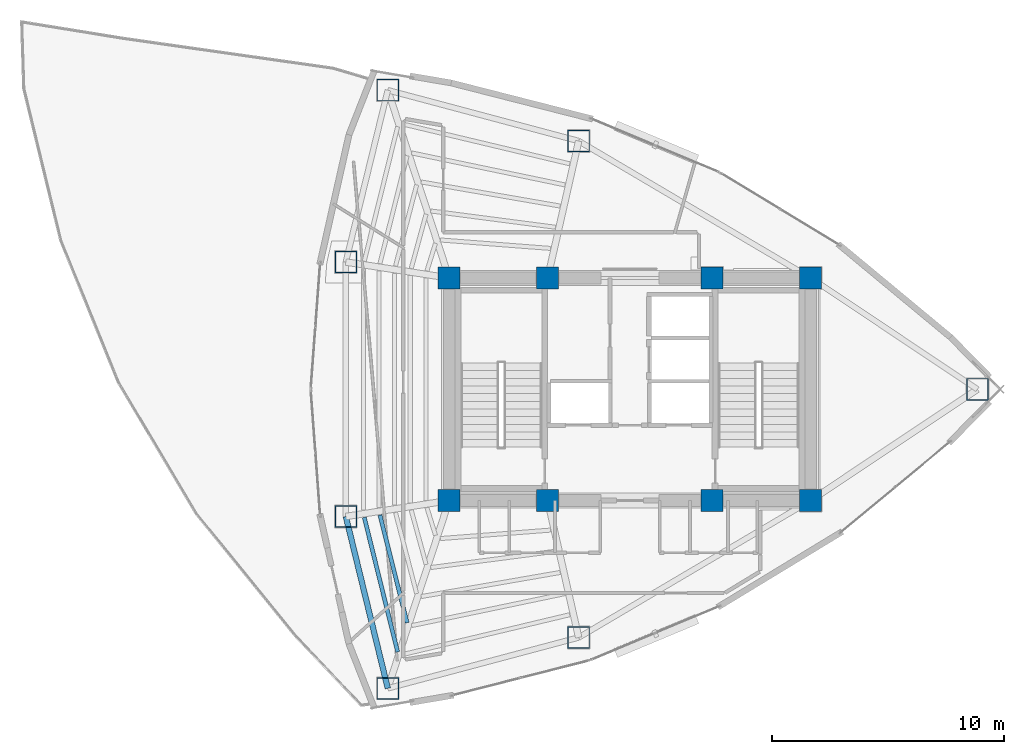
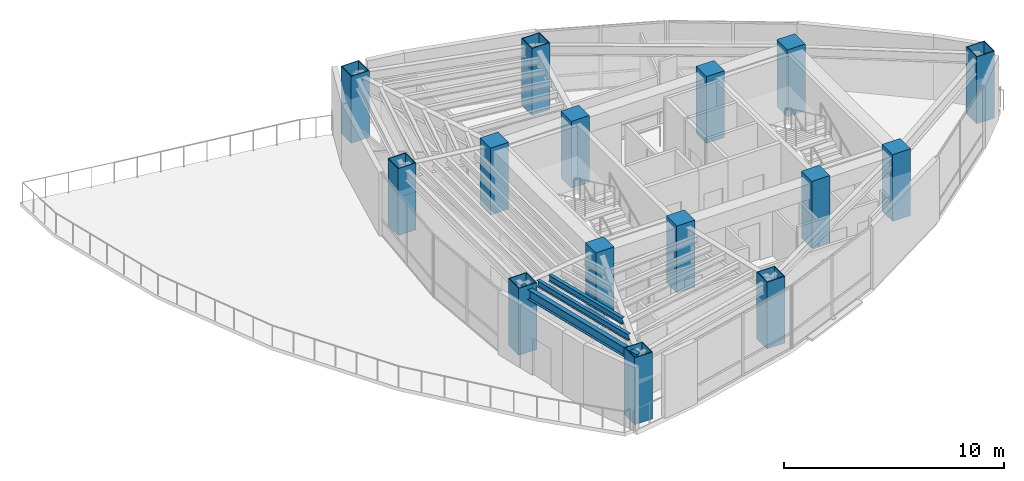
# One storey, part 1 of 17: 15 columns, 3 beams.
"""IFC4 building model written with IfcOpenShell, lengths in metres."""

import ifcopenshell
import ifcopenshell.guid

model = None  # the IFC model being written
_history = None  # IfcOwnerHistory: only IFC2X3 demands one
_inside = {}  # id of a spatial element -> (the spatial element, [elements in it])
_under = {}  # id of a project, library or spatial element -> (it, [spatial elements below it])
_declared = {}  # id of a project -> (the project, [libraries it declares])
_typed = {}  # id of a type object -> (the type object, [elements of that type])
_made_of = {}  # id of a material, layer set ... -> (it, [elements and type objects made of it])


def new_model(schema):
    """Start an empty IFC model of exactly this schema.

    Asked for "IFC4X3", IfcOpenShell would pick the latest addendum, in which some entities
    have other attributes; the version numbers below select the first issue.
    IFC2X3 requires an IfcOwnerHistory on every rooted entity: one is made here for all.
    """
    global model, _history
    if schema == "IFC4X3":
        model = ifcopenshell.file(schema_version=(4, 3, 0, 0))
    else:
        model = ifcopenshell.file(schema=schema)
    _inside.clear()
    _under.clear()
    _declared.clear()
    _typed.clear()
    _made_of.clear()
    _history = None
    if model.schema == "IFC2X3":
        org = make("IfcOrganization", Name="unknown")
        user = make(
            "IfcPersonAndOrganization",
            ThePerson=make("IfcPerson", FamilyName="unknown"),
            TheOrganization=org,
        )
        app = make(
            "IfcApplication",
            ApplicationDeveloper=org,
            Version="unknown",
            ApplicationFullName="unknown",
            ApplicationIdentifier="unknown",
        )
        _history = make(
            "IfcOwnerHistory",
            OwningUser=user,
            OwningApplication=app,
            ChangeAction="ADDED",
            CreationDate=0,
        )
    return model


def make(cls, **values):
    """One entity of the class cls with the attributes given. An attribute that is None is left unset."""
    return model.create_entity(
        cls, **{name: value for name, value in values.items() if value is not None}
    )


def rooted(cls, **values):
    """An entity with a GlobalId (a new one), such as an element, a storey or a relation."""
    return make(cls, GlobalId=ifcopenshell.guid.new(), OwnerHistory=_history, **values)


def si_unit(unit_type, name, prefix=None):
    """IfcSIUnit, for example si_unit("LENGTHUNIT", "METRE", prefix="MILLI")."""
    return make("IfcSIUnit", UnitType=unit_type, Prefix=prefix, Name=name)


def assignment(units):
    """IfcUnitAssignment: the units of a project."""
    return None if units is None else make("IfcUnitAssignment", Units=units)


def point(xyz):
    """IfcCartesianPoint."""
    return None if xyz is None else make("IfcCartesianPoint", Coordinates=xyz)


def direction(xyz):
    """IfcDirection."""
    return None if xyz is None else make("IfcDirection", DirectionRatios=xyz)


def frame(location, z_axis=None, x_axis=None):
    """IfcAxis2Placement3D, a coordinate frame: its origin and axes. An axis left out is left unset."""
    return make(
        "IfcAxis2Placement3D",
        Location=point(location),
        Axis=direction(z_axis),
        RefDirection=direction(x_axis),
    )


def frame_2d(location, x_axis=None):
    """IfcAxis2Placement2D, a coordinate frame in the plane: its origin and x axis."""
    return make(
        "IfcAxis2Placement2D", Location=point(location), RefDirection=direction(x_axis)
    )


def origin():
    """The frame at (0, 0, 0) with its axes left unset."""
    return frame((0.0, 0.0, 0.0))


def origin_2d():
    """The frame at (0, 0) in the plane with its x axis left unset."""
    return frame_2d((0.0, 0.0))


def place(relative_to, where):
    """IfcLocalPlacement: puts the frame where relative to a parent placement (None: the world)."""
    return make(
        "IfcLocalPlacement", PlacementRelTo=relative_to, RelativePlacement=where
    )


def context(
    kind, dimensions, precision=None, world=None, true_north=None, identifier=None
):
    """IfcGeometricRepresentationContext, for example the 3D "Model" context."""
    return make(
        "IfcGeometricRepresentationContext",
        ContextIdentifier=identifier,
        ContextType=kind,
        CoordinateSpaceDimension=dimensions,
        Precision=precision,
        WorldCoordinateSystem=world,
        TrueNorth=true_north,
    )


def subcontext(parent, identifier, kind, view, scale=None):
    """IfcGeometricRepresentationSubContext, for example "Body" below "Model"."""
    return make(
        "IfcGeometricRepresentationSubContext",
        ContextIdentifier=identifier,
        ContextType=kind,
        ParentContext=parent,
        TargetScale=scale,
        TargetView=view,
    )


def project(units=None, contexts=None):
    """IfcProject with its units and contexts."""
    return rooted(
        "IfcProject",
        Name="project",
        RepresentationContexts=contexts,
        UnitsInContext=assignment(units),
    )


def spatial(cls, under=None, at=None, **own):
    """A site, building, storey or space (cls), placed at a placement, below another one or the project."""
    s = rooted(cls, ObjectPlacement=at, **own)
    if under is not None:
        _under.setdefault(under.id(), (under, []))[1].append(s)
    return s


def profile(cls, at=None, kind="AREA", **sizes):
    """A parametric profile (cls). Its sizes go by their IFC names, for example OverallWidth=200.0."""
    return make(cls, ProfileType=kind, Position=at, **sizes)


def rectangle(**sizes):
    """IfcRectangleProfileDef."""
    return profile("IfcRectangleProfileDef", **sizes)


def hollow_rectangle(**sizes):
    """IfcRectangleHollowProfileDef."""
    return profile("IfcRectangleHollowProfileDef", **sizes)


def i_section(**sizes):
    """IfcIShapeProfileDef."""
    return profile("IfcIShapeProfileDef", **sizes)


def extrude(swept, where, along, depth):
    """IfcExtrudedAreaSolid: the profile swept, set in the frame where, extruded along a direction by depth."""
    return make(
        "IfcExtrudedAreaSolid",
        SweptArea=swept,
        Position=where,
        ExtrudedDirection=direction(along),
        Depth=depth,
    )


def shape(context_of_items, identifier, shape_type, items):
    """IfcShapeRepresentation: the items that make up one representation, for example the "Body"."""
    return make(
        "IfcShapeRepresentation",
        ContextOfItems=context_of_items,
        RepresentationIdentifier=identifier,
        RepresentationType=shape_type,
        Items=items,
    )


def material(Name=None, Category=None):
    """IfcMaterial."""
    return make("IfcMaterial", Name=Name, Category=Category)


def material_profile(
    of_material, cross_section, Name=None, Category=None, Priority=None
):
    """IfcMaterialProfile: a cross section and its material."""
    return make(
        "IfcMaterialProfile",
        Name=Name,
        Material=of_material,
        Profile=cross_section,
        Priority=Priority,
        Category=Category,
    )


def profile_set(profiles, Name=None, composite=None):
    """IfcMaterialProfileSet."""
    return make(
        "IfcMaterialProfileSet",
        Name=Name,
        MaterialProfiles=profiles,
        CompositeProfile=composite,
    )


def made_of(thing, what):
    """Note that an element or type object is made of a material, layer set ...; save() writes the relation."""
    if what is not None:
        _made_of.setdefault(what.id(), (what, []))[1].append(thing)
    return thing


def type_object(cls, material=None, **own):
    """A type object (cls), such as IfcWallType, which elements share."""
    return made_of(rooted(cls, **own), material)


def element(
    cls,
    number,
    at=None,
    inside=None,
    cuts=None,
    type_object=None,
    material=None,
    context=None,
    identifier="Body",
    shape_type=None,
    held_by="IfcProductDefinitionShape",
    body=None,
    shapes=None,
    **own,
):
    """One element of the class cls, such as IfcWall. Its Tag is "e" and its number.

    at: its placement. inside: the storey or other place that contains it. cuts: it is an
    opening in that element (IfcRelVoidsElement). A single representation is given by context,
    identifier, shape_type and body (its items); several are given by shapes. held_by: the class
    of the entity that holds the representations. save() writes the other relations.
    """
    e = rooted(cls, Tag="e%d" % number, ObjectPlacement=at, **own)
    if body is not None:
        shapes = [shape(context, identifier, shape_type, body)]
    if shapes is not None:
        e.Representation = make(held_by, Representations=shapes)
    if inside is not None:
        _inside.setdefault(inside.id(), (inside, []))[1].append(e)
    if cuts is not None:
        rooted(
            "IfcRelVoidsElement", RelatingBuildingElement=cuts, RelatedOpeningElement=e
        )
    if type_object is not None:
        _typed.setdefault(type_object.id(), (type_object, []))[1].append(e)
    return made_of(e, material)


def aggregate(whole, parts):
    """IfcRelAggregates: a whole, such as a stair, and the parts it consists of."""
    return rooted("IfcRelAggregates", RelatingObject=whole, RelatedObjects=parts)


def save(model, path):
    """Write the relations noted so far, then the file.

    IfcRelAggregates (storeys below a building ...), IfcRelContainedInSpatialStructure (elements
    in a storey), IfcRelDefinesByType, IfcRelAssociatesMaterial and IfcRelDeclares: one each for
    every whole, place, type object, material and project.
    """
    for whole, parts in _under.values():
        aggregate(whole, parts)
    for where, things in _inside.values():
        rooted(
            "IfcRelContainedInSpatialStructure",
            RelatedElements=things,
            RelatingStructure=where,
        )
    for kind, things in _typed.values():
        rooted("IfcRelDefinesByType", RelatedObjects=things, RelatingType=kind)
    for what, things in _made_of.values():
        rooted("IfcRelAssociatesMaterial", RelatedObjects=things, RelatingMaterial=what)
    for by, libraries in _declared.values():
        rooted("IfcRelDeclares", RelatingContext=by, RelatedDefinitions=libraries)
    model.write(path)


model = new_model("IFC4")

# Units and contexts
model_context = context("Model", 3, precision=1e-05, world=origin(), true_north=direction((0.0, 1.0)))
body_context = subcontext(model_context, "Body", "Model", "MODEL_VIEW")
ifc_project = project(units=[si_unit("LENGTHUNIT", "METRE"), si_unit("AREAUNIT", "SQUARE_METRE"), si_unit("VOLUMEUNIT", "CUBIC_METRE"), si_unit("PLANEANGLEUNIT", "RADIAN"), si_unit("MASSUNIT", "GRAM", prefix="KILO")], contexts=[model_context])

# Site, building, storey
site_placement = place(None, origin())
site = spatial("IfcSite", under=ifc_project, at=site_placement, CompositionType="ELEMENT")
building_placement = place(site_placement, origin())
building = spatial("IfcBuilding", under=site, at=building_placement, Name="Menara Vayukalpa", CompositionType="ELEMENT")
storey_placement = place(building_placement, frame((0.0, 0.0, 206.39990234375)))
storey = spatial("IfcBuildingStorey", under=building, at=storey_placement, Name="L52", CompositionType="ELEMENT", Elevation=206.39990234375)

# Columns
ifc_material_1 = material(Name="Concrete C60/75", Category="concrete")
ifc_material_profile_1 = material_profile(ifc_material_1, rectangle(XDim=0.949951171875, YDim=0.949951171875, at=origin_2d()), Name="RC 950x950")
ifc_profile_set_1 = profile_set([ifc_material_profile_1], Name="Concrete C60/75")
column_type_1 = type_object("IfcColumnType", Name="COL-CC2", PredefinedType="COLUMN", material=ifc_profile_set_1)
for number, where, z_axis, x_axis, name in (
    (1, (17.800048828125, 17.199951171875, 0.0), (0.0, 0.0, 1.0), (1.0, 0.0, 0.0), "L52 Core Pilaster Column CC1"),
    (2, (22.050048828125, 17.199951171875, 0.0), (0.0, 0.0, 1.0), (1.0, 0.0, 0.0), "L52 Core Pilaster Column CC2"),
    (3, (29.14990234375, 17.199951171875, 0.0), (0.0, 0.0, 1.0), (1.0, 0.0, 0.0), "L52 Core Pilaster Column CC3"),
    (4, (33.39990234375, 17.199951171875, 0.0), (0.0, 0.0, 1.0), (1.0, 0.0, 0.0), "L52 Core Pilaster Column CC4"),
    (5, (17.800048828125, 26.800048828125, 0.0), (0.0, 0.0, 1.0), (1.0, 0.0, 0.0), "L52 Core Pilaster Column CC5"),
    (6, (22.050048828125, 26.800048828125, 0.0), (0.0, 0.0, 1.0), (1.0, 0.0, 0.0), "L52 Core Pilaster Column CC6"),
    (7, (29.14990234375, 26.800048828125, 0.0), (0.0, 0.0, 1.0), (1.0, 0.0, 0.0), "L52 Core Pilaster Column CC7"),
    (8, (33.39990234375, 26.800048828125, 0.0), (0.0, 0.0, 1.0), (1.0, 0.0, 0.0), "L52 Core Pilaster Column CC8"),
):
    element("IfcColumn", number, at=place(storey_placement, frame(where, z_axis=z_axis, x_axis=x_axis)), inside=storey, type_object=column_type_1, Name=name, PredefinedType="COLUMN", context=body_context, shape_type="SweptSolid", body=[
        extrude(rectangle(XDim=0.949951171875, YDim=0.949951171875, at=origin_2d()), origin(), (0.0, 0.0, 1.0), 3.72021484375),
    ])
ifc_material_2 = material(Name="Steel S460", Category="steel")
ifc_material_profile_2 = material_profile(ifc_material_2, hollow_rectangle(XDim=0.949951171875, YDim=0.949951171875, WallThickness=0.0400390625, at=origin_2d()), Name="BOX 950x950x40")
ifc_profile_set_2 = profile_set([ifc_material_profile_2], Name="Steel S460")
column_type_2 = type_object("IfcColumnType", Name="COL-MC4", PredefinedType="COLUMN", material=ifc_profile_set_2)
for number, where, z_axis, x_axis, name in (
    (9, (40.590576171875, 22.0, 0.0), (0.0, 0.0, 1.0), (1.0, 0.0, 0.0), "L52 Perimeter Mega Column P01"),
    (10, (23.389404296875, 32.70849609375, 0.0), (0.0, 0.0, 1.0), (1.0, 0.0, 0.0), "L52 Perimeter Mega Column P03"),
    (11, (15.15478515625, 34.902587890625, 0.0), (0.0, 0.0, 1.0), (1.0, 0.0, 0.0), "L52 Perimeter Mega Column P04"),
    (12, (13.343994140625, 27.4892578125, 0.0), (0.0, 0.0, 1.0), (1.0, 0.0, 0.0), "L52 Perimeter Mega Column P05"),
    (13, (13.343994140625, 16.5107421875, 0.0), (0.0, 0.0, 1.0), (1.0, 0.0, 0.0), "L52 Perimeter Mega Column P06"),
    (14, (15.15478515625, 9.097412109375, 0.0), (0.0, 0.0, 1.0), (1.0, 0.0, 0.0), "L52 Perimeter Mega Column P07"),
    (15, (23.389404296875, 11.29150390625, 0.0), (0.0, 0.0, 1.0), (1.0, 0.0, 0.0), "L52 Perimeter Mega Column P08"),
):
    element("IfcColumn", number, at=place(storey_placement, frame(where, z_axis=z_axis, x_axis=x_axis)), inside=storey, type_object=column_type_2, Name=name, PredefinedType="COLUMN", context=body_context, shape_type="SweptSolid", body=[
        extrude(hollow_rectangle(XDim=0.949951171875, YDim=0.949951171875, WallThickness=0.0400390625, at=origin_2d()), origin(), (0.0, 0.0, 1.0), 3.72021484375),
    ])

# Beams
ifc_material_3 = material(Name="Steel S355", Category="steel")
ifc_material_profile_3 = material_profile(ifc_material_3, i_section(OverallWidth=0.175048828125, OverallDepth=0.35009765625, WebThickness=0.007080078125, FlangeThickness=0.010986328125, at=origin_2d()), Name="WF 350x175x7x11")
ifc_profile_set_3 = profile_set([ifc_material_profile_3], Name="Steel S355")
beam_type_1 = type_object("IfcBeamType", Name="BM-SJ3", PredefinedType="JOIST", material=ifc_profile_set_3)
beam_1_placement = place(storey_placement, frame((14.814208984375, 16.576904296875, 3.3251953125), z_axis=(0.24483447751, -0.969564891393, 0.0), x_axis=(0.969564891393, 0.24483447751, 0.0)))
element("IfcBeam", 16, at=beam_1_placement, inside=storey, type_object=beam_type_1, Name="L52 Secondary Floor Joist SJ06-4", PredefinedType="JOIST", context=body_context, shape_type="SweptSolid", body=[
    extrude(i_section(OverallWidth=0.175048828125, OverallDepth=0.35009765625, WebThickness=0.007080078125, FlangeThickness=0.010986328125, at=origin_2d()), origin(), (0.0, 0.0, 1.0), 4.79638671875),
])
beam_2_placement = place(storey_placement, frame((14.14013671875, 16.47265625, 3.3251953125), z_axis=(0.240556182956, -0.970635216156, 0.0), x_axis=(0.970635216156, 0.240556182956, 0.0)))
element("IfcBeam", 17, at=beam_2_placement, inside=storey, type_object=beam_type_1, Name="L52 Secondary Floor Joist SJ06-5", PredefinedType="JOIST", context=body_context, shape_type="SweptSolid", body=[
    extrude(i_section(OverallWidth=0.175048828125, OverallDepth=0.35009765625, WebThickness=0.007080078125, FlangeThickness=0.010986328125, at=origin_2d()), origin(), (0.0, 0.0, 1.0), 5.979736328125),
])
ifc_material_4 = material(Name="Steel S355", Category="steel")
ifc_material_profile_4 = material_profile(ifc_material_4, i_section(OverallWidth=0.239990234375, OverallDepth=0.550048828125, WebThickness=0.010986328125, FlangeThickness=0.01904296875, at=origin_2d()), Name="WF 550x240x11x19")
ifc_profile_set_4 = profile_set([ifc_material_profile_4], Name="Steel S355")
beam_type_2 = type_object("IfcBeamType", Name="BM-SP2", PredefinedType="SPANDREL", material=ifc_profile_set_4)
beam_3_placement = place(storey_placement, frame((13.343994140625, 16.5107421875, 3.22509765625), z_axis=(0.237285374413, -0.971439988414, 0.0), x_axis=(0.971439988414, 0.237285374413, 0.0)))
element("IfcBeam", 18, at=beam_3_placement, inside=storey, type_object=beam_type_2, Name="L52 Perimeter Spandrel Beam SP06", PredefinedType="SPANDREL", context=body_context, shape_type="SweptSolid", body=[
    extrude(i_section(OverallWidth=0.239990234375, OverallDepth=0.550048828125, WebThickness=0.010986328125, FlangeThickness=0.01904296875, at=origin_2d()), origin(), (0.0, 0.0, 1.0), 7.63134765625),
])

save(model, "model.ifc")
